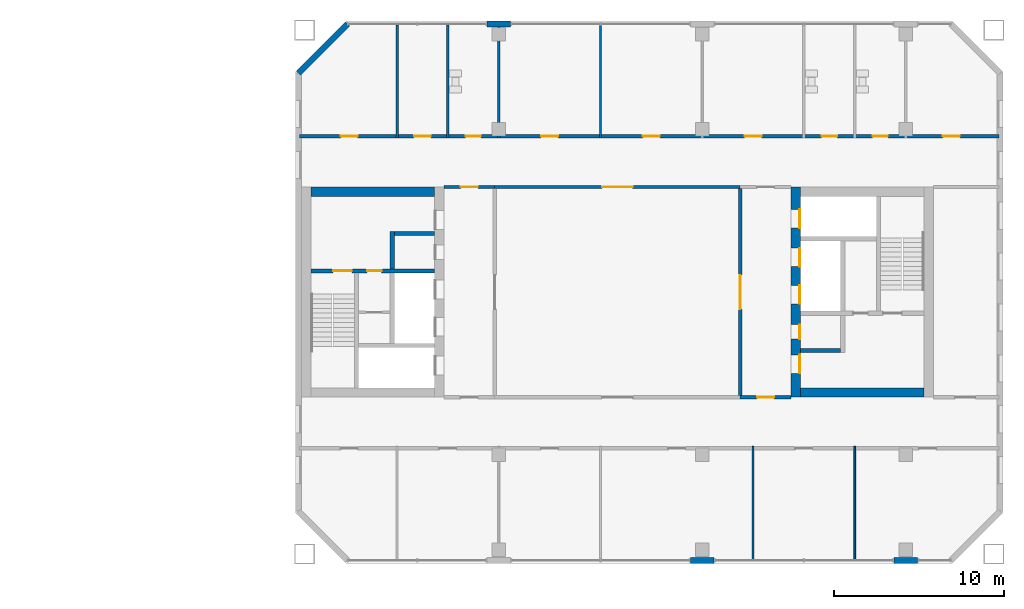
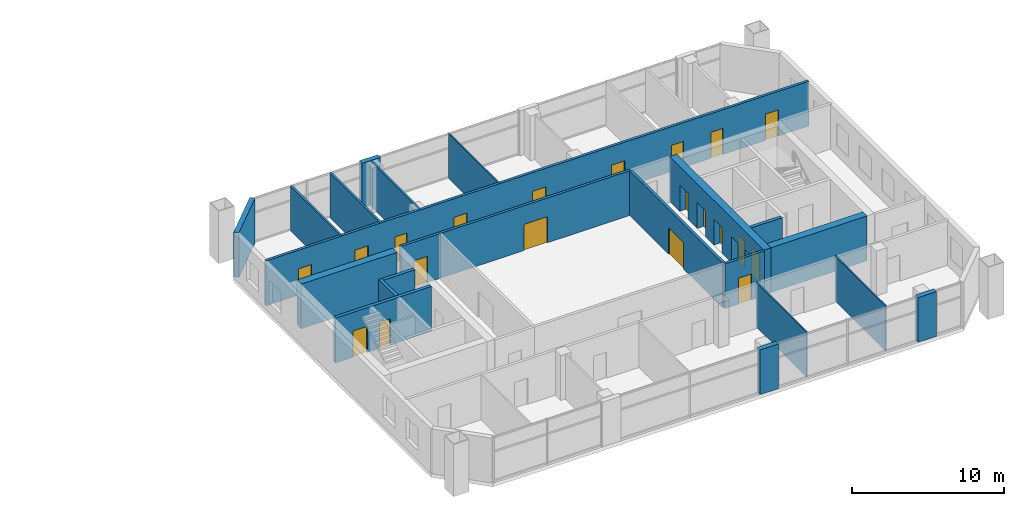
# One storey, part 13 of 17: 22 walls, 20 doors, 20 openings.
"""IFC4 building model written with IfcOpenShell, lengths in metres."""

from ifc_helpers import new_model, si_unit, direction, frame, frame_2d, origin, place, context, subcontext, project, spatial, rectangle, extrude, material, layer, layer_set, type_object, element, fill, save


model = new_model("IFC4")

# Units and contexts
model_context = context("Model", 3, precision=1e-05, world=origin(), true_north=direction((0.0, 1.0)))
body_context = subcontext(model_context, "Body", "Model", "MODEL_VIEW")
ifc_project = project(units=[si_unit("LENGTHUNIT", "METRE"), si_unit("AREAUNIT", "SQUARE_METRE"), si_unit("VOLUMEUNIT", "CUBIC_METRE"), si_unit("PLANEANGLEUNIT", "RADIAN"), si_unit("MASSUNIT", "GRAM", prefix="KILO")], contexts=[model_context])

# Site, building, storey
site_placement = place(None, origin())
site = spatial("IfcSite", under=ifc_project, at=site_placement, CompositionType="ELEMENT")
building_placement = place(site_placement, origin())
building = spatial("IfcBuilding", under=site, at=building_placement, Name="Tuart Gate Housing", CompositionType="ELEMENT")
storey_placement = place(building_placement, frame((0.0, 0.0, 119.5)))
storey = spatial("IfcBuildingStorey", under=building, at=storey_placement, Name="L33", CompositionType="ELEMENT", Elevation=119.5)

# Walls
ifc_material_1 = material(Name="Gypsum board on steel studs", Category="steel")
ifc_layer_1 = layer(ifc_material_1, 0.14990234375)
ifc_layer_set_1 = layer_set([ifc_layer_1], Name="Bathroom wall 150")
wall_type_1 = type_object("IfcWallType", Name="Bathroom wall 150", PredefinedType="PLUMBINGWALL", material=ifc_layer_set_1)
for number, where, z_axis, x_axis, name in (
    (1, (137.0, 79.10009765625, 0.0), (0.0, 0.0, 1.0), (0.0, 1.0, 0.0), "Bathroom wall 150"),
    (2, (140.0, 79.10009765625, 0.0), (0.0, 0.0, 1.0), (0.0, 1.0, 0.0), "Bathroom wall 150"),
    (3, (143.0, 79.10009765625, 0.0), (0.0, 0.0, 1.0), (0.0, 1.0, 0.0), "Bathroom wall 150"),
):
    element("IfcWall", number, at=place(storey_placement, frame(where, z_axis=z_axis, x_axis=x_axis)), inside=storey, type_object=wall_type_1, Name=name, PredefinedType="PLUMBINGWALL", context=body_context, shape_type="SweptSolid", body=[
        extrude(rectangle(XDim=6.659912109375, YDim=0.14990234375, at=frame_2d((3.330078125, 0.0))), origin(), (0.0, 0.0, 1.0), 3.60009765625),
    ])
ifc_material_2 = material(Name="Brick", Category="masonry")
ifc_layer_2 = layer(ifc_material_2, 0.360107421875)
ifc_layer_set_2 = layer_set([ifc_layer_2], Name="Brick pier and spandrel wall 360")
wall_type_2 = type_object("IfcWallType", Name="Brick pier and spandrel wall 360", PredefinedType="STANDARD", material=ifc_layer_set_2)
for number, where, z_axis, x_axis, name in (
    (4, (154.300048828125, 54.179931640625, 0.0), (0.0, 0.0, 1.0), (1.0, 0.0, 0.0), "External wall B-S L33"),
    (5, (166.300048828125, 54.179931640625, 0.0), (0.0, 0.0, 1.0), (1.0, 0.0, 0.0), "External wall B-S L33"),
    (6, (143.699951171875, 85.820068359375, 0.0), (0.0, 0.0, 1.0), (-1.0, 0.0, 0.0), "External wall B-N L33"),
):
    element("IfcWall", number, at=place(storey_placement, frame(where, z_axis=z_axis, x_axis=x_axis)), inside=storey, type_object=wall_type_2, Name=name, PredefinedType="STANDARD", context=body_context, shape_type="SweptSolid", body=[
        extrude(rectangle(XDim=1.39990234375, YDim=0.360107421875, at=frame_2d((0.699951171875, 0.0))), origin(), (0.0, 0.0, 1.0), 3.60009765625),
    ])
wall_1_placement = place(storey_placement, frame((134.07470703125, 85.820068359375, 0.0), z_axis=(0.0, 0.0, 1.0), x_axis=(-0.707106781187, -0.707106781187, 0.0)))
element("IfcWall", 7, at=wall_1_placement, inside=storey, type_object=wall_type_2, Name="External wall B-NW L33", PredefinedType="STANDARD", context=body_context, shape_type="SweptSolid", body=[
    extrude(rectangle(XDim=4.09375, YDim=0.360107421875, at=frame_2d((2.046875, 0.0))), origin(), (0.0, 0.0, 1.0), 3.60009765625),
])

# Wall, openings, doors
ifc_material_3 = material(Name="Concrete C50", Category="concrete")
ifc_layer_3 = layer(ifc_material_3, 0.25)
ifc_layer_set_3 = layer_set([ifc_layer_3], Name="Core wall 250 C50")
wall_type_3 = type_object("IfcWallType", Name="Core wall 250 C50", PredefinedType="SHEAR", material=ifc_layer_set_3)
wall_2_placement = place(storey_placement, frame((139.2099609375, 71.25, 0.0), z_axis=(0.0, 0.0, 1.0), x_axis=(-1.0, 0.0, 0.0)))
wall_2 = element("IfcWall", 8, at=wall_2_placement, inside=storey, type_object=wall_type_3, Name="Core wall BG.3", PredefinedType="SHEAR", context=body_context, shape_type="SweptSolid", body=[
    extrude(rectangle(XDim=7.300048828125, YDim=0.25, at=frame_2d((3.64990234375, 0.0))), origin(), (0.0, 0.0, 1.0), 3.60009765625),
])
opening_1_placement = place(wall_2_placement, frame((4.875, 0.0, 0.0)))
opening_1 = element("IfcOpeningElement", 9, at=opening_1_placement, cuts=wall_2, Name="Opening D187", PredefinedType="OPENING", context=body_context, shape_type="SweptSolid", body=[
    extrude(rectangle(XDim=1.10009765625, YDim=2.10009765625, at=frame_2d((0.550048828125, 1.050048828125))), frame((0.0, 0.135009765625, 0.0), z_axis=(0.0, -1.0, 0.0), x_axis=(1.0, 0.0, 0.0)), (0.0, 0.0, 1.0), 0.27001953125),
])
opening_2_placement = place(wall_2_placement, frame((3.125, 0.0, 0.0)))
opening_2 = element("IfcOpeningElement", 10, at=opening_2_placement, cuts=wall_2, Name="Opening D186", PredefinedType="OPENING", context=body_context, shape_type="SweptSolid", body=[
    extrude(rectangle(XDim=0.85009765625, YDim=2.10009765625, at=frame_2d((0.425048828125, 1.050048828125))), frame((0.0, 0.135009765625, 0.0), z_axis=(0.0, -1.0, 0.0), x_axis=(1.0, 0.0, 0.0)), (0.0, 0.0, 1.0), 0.27001953125),
])
ifc_material_4 = material(Name="Steel fire door", Category="steel")
door_type_1 = type_object("IfcDoorType", Name="Riser door 850 x 2100", OperationType="SINGLE_SWING_LEFT", PredefinedType="DOOR", material=ifc_material_4)
door_1_placement = place(opening_2_placement, origin())
door_1 = element("IfcDoor", 11, at=door_1_placement, inside=storey, type_object=door_type_1, Name="Service room door BG.W1", OperationType="SINGLE_SWING_LEFT", OverallHeight=2.10009765625, OverallWidth=0.85009765625, PredefinedType="DOOR", context=body_context, shape_type="SweptSolid", body=[
    extrude(rectangle(XDim=0.85009765625, YDim=2.10009765625, at=frame_2d((0.425048828125, 1.050048828125))), frame((0.0, 0.02490234375, 0.0), z_axis=(0.0, -1.0, 0.0), x_axis=(1.0, 0.0, 0.0)), (0.0, 0.0, 1.0), 0.050048828125),
])
fill(opening_2, door_1)
ifc_material_5 = material(Name="Steel fire door", Category="steel")
door_type_2 = type_object("IfcDoorType", Name="Stair door 1100 x 2100", OperationType="SINGLE_SWING_LEFT", PredefinedType="DOOR", material=ifc_material_5)
door_2_placement = place(opening_1_placement, origin())
door_2 = element("IfcDoor", 12, at=door_2_placement, inside=storey, type_object=door_type_2, Name="Stair door BG.SD", OperationType="SINGLE_SWING_LEFT", OverallHeight=2.10009765625, OverallWidth=1.10009765625, PredefinedType="DOOR", context=body_context, shape_type="SweptSolid", body=[
    extrude(rectangle(XDim=1.10009765625, YDim=2.10009765625, at=frame_2d((0.550048828125, 1.050048828125))), frame((0.0, 0.02490234375, 0.0), z_axis=(0.0, -1.0, 0.0), x_axis=(1.0, 0.0, 0.0)), (0.0, 0.0, 1.0), 0.050048828125),
])
fill(opening_1, door_2)

# Walls
wall_3_placement = place(storey_placement, frame((139.2099609375, 73.449951171875, 0.0), z_axis=(0.0, 0.0, 1.0), x_axis=(-1.0, 0.0, 0.0)))
element("IfcWall", 13, at=wall_3_placement, inside=storey, type_object=wall_type_3, Name="Core wall BG.4", PredefinedType="SHEAR", context=body_context, shape_type="SweptSolid", body=[
    extrude(rectangle(XDim=2.375, YDim=0.25, at=frame_2d((1.1875, 0.0))), origin(), (0.0, 0.0, 1.0), 3.60009765625),
])
wall_4_placement = place(storey_placement, frame((136.7099609375, 71.375, 0.0), z_axis=(0.0, 0.0, 1.0), x_axis=(0.0, 1.0, 0.0)))
element("IfcWall", 14, at=wall_4_placement, inside=storey, type_object=wall_type_3, Name="Core wall BG.6", PredefinedType="SHEAR", context=body_context, shape_type="SweptSolid", body=[
    extrude(rectangle(XDim=2.199951171875, YDim=0.25, at=frame_2d((1.10009765625, 0.0))), origin(), (0.0, 0.0, 1.0), 3.60009765625),
])
wall_5_placement = place(storey_placement, frame((160.7900390625, 66.550048828125, 0.0), z_axis=(0.0, 0.0, 1.0), x_axis=(1.0, 0.0, 0.0)))
element("IfcWall", 15, at=wall_5_placement, inside=storey, type_object=wall_type_3, Name="Core wall BK.3", PredefinedType="SHEAR", context=body_context, shape_type="SweptSolid", body=[
    extrude(rectangle(XDim=2.375, YDim=0.25, at=frame_2d((1.1875, 0.0))), origin(), (0.0, 0.0, 1.0), 3.60009765625),
])
ifc_material_6 = material(Name="Concrete C50", Category="concrete")
ifc_layer_4 = layer(ifc_material_6, 0.550048828125)
ifc_layer_set_4 = layer_set([ifc_layer_4], Name="Core wall 550 C50")
wall_type_4 = type_object("IfcWallType", Name="Core wall 550 C50", PredefinedType="SHEAR", material=ifc_layer_set_4)
wall_6_placement = place(storey_placement, frame((139.2099609375, 75.925048828125, 0.0), z_axis=(0.0, 0.0, 1.0), x_axis=(-1.0, 0.0, 0.0)))
element("IfcWall", 16, at=wall_6_placement, inside=storey, type_object=wall_type_4, Name="Core wall BG north", PredefinedType="SHEAR", context=body_context, shape_type="SweptSolid", body=[
    extrude(rectangle(XDim=7.300048828125, YDim=0.550048828125, at=frame_2d((3.64990234375, 0.0))), origin(), (0.0, 0.0, 1.0), 3.60009765625),
])

# Wall, openings, doors
wall_7_placement = place(storey_placement, frame((160.514892578125, 76.199951171875, 0.0), z_axis=(0.0, 0.0, 1.0), x_axis=(0.0, -1.0, 0.0)))
wall_7 = element("IfcWall", 17, at=wall_7_placement, inside=storey, type_object=wall_type_4, Name="Core wall BK front", PredefinedType="SHEAR", context=body_context, shape_type="SweptSolid", body=[
    extrude(rectangle(XDim=12.39990234375, YDim=0.550048828125, at=frame_2d((6.199951171875, 0.0))), origin(), (0.0, 0.0, 1.0), 3.60009765625),
])
opening_3_placement = place(wall_7_placement, frame((1.324951171875, 0.0, 0.0)))
opening_3 = element("IfcOpeningElement", 18, at=opening_3_placement, cuts=wall_7, Name="Opening LD-FB2", PredefinedType="OPENING", context=body_context, shape_type="SweptSolid", body=[
    extrude(rectangle(XDim=1.10009765625, YDim=2.10009765625, at=frame_2d((0.550048828125, 1.050048828125))), frame((0.0, 0.284912109375, 0.0), z_axis=(0.0, -1.0, 0.0), x_axis=(1.0, 0.0, 0.0)), (0.0, 0.0, 1.0), 0.570068359375),
])
opening_4_placement = place(wall_7_placement, frame((3.60009765625, 0.0, 0.0)))
opening_4 = element("IfcOpeningElement", 19, at=opening_4_placement, cuts=wall_7, Name="Opening LD-LB3", PredefinedType="OPENING", context=body_context, shape_type="SweptSolid", body=[
    extrude(rectangle(XDim=1.10009765625, YDim=2.10009765625, at=frame_2d((0.550048828125, 1.050048828125))), frame((0.0, 0.284912109375, 0.0), z_axis=(0.0, -1.0, 0.0), x_axis=(1.0, 0.0, 0.0)), (0.0, 0.0, 1.0), 0.570068359375),
])
opening_5_placement = place(wall_7_placement, frame((5.800048828125, 0.0, 0.0)))
opening_5 = element("IfcOpeningElement", 20, at=opening_5_placement, cuts=wall_7, Name="Opening LD-LB4", PredefinedType="OPENING", context=body_context, shape_type="SweptSolid", body=[
    extrude(rectangle(XDim=1.10009765625, YDim=2.10009765625, at=frame_2d((0.550048828125, 1.050048828125))), frame((0.0, 0.284912109375, 0.0), z_axis=(0.0, -1.0, 0.0), x_axis=(1.0, 0.0, 0.0)), (0.0, 0.0, 1.0), 0.570068359375),
])
opening_6_placement = place(wall_7_placement, frame((9.89990234375, 0.0, 0.0)))
opening_6 = element("IfcOpeningElement", 21, at=opening_6_placement, cuts=wall_7, Name="Opening D192", PredefinedType="OPENING", context=body_context, shape_type="SweptSolid", body=[
    extrude(rectangle(XDim=1.10009765625, YDim=2.10009765625, at=frame_2d((0.550048828125, 1.050048828125))), frame((0.0, 0.284912109375, 0.0), z_axis=(0.0, -1.0, 0.0), x_axis=(1.0, 0.0, 0.0)), (0.0, 0.0, 1.0), 0.570068359375),
])
opening_7_placement = place(wall_7_placement, frame((8.125, 0.0, 0.0)))
opening_7 = element("IfcOpeningElement", 22, at=opening_7_placement, cuts=wall_7, Name="Opening D193", PredefinedType="OPENING", context=body_context, shape_type="SweptSolid", body=[
    extrude(rectangle(XDim=0.85009765625, YDim=2.10009765625, at=frame_2d((0.425048828125, 1.050048828125))), frame((0.0, 0.284912109375, 0.0), z_axis=(0.0, -1.0, 0.0), x_axis=(1.0, 0.0, 0.0)), (0.0, 0.0, 1.0), 0.570068359375),
])
ifc_material_7 = material(Name="Stainless steel", Category="steel")
door_type_3 = type_object("IfcDoorType", Name="Landing door 1100 x 2100", OperationType="DOUBLE_DOOR_SLIDING", PredefinedType="DOOR", material=ifc_material_7)
door_3_placement = place(opening_3_placement, origin())
door_3 = element("IfcDoor", 23, at=door_3_placement, inside=storey, type_object=door_type_3, Name="Lift landing door FB2", OperationType="DOUBLE_DOOR_SLIDING", OverallHeight=2.10009765625, OverallWidth=1.10009765625, PredefinedType="DOOR", context=body_context, shape_type="SweptSolid", body=[
    extrude(rectangle(XDim=1.10009765625, YDim=2.10009765625, at=frame_2d((0.550048828125, 1.050048828125))), frame((0.0, 0.26025390625, 0.0), z_axis=(0.0, -1.0, 0.0), x_axis=(1.0, 0.0, 0.0)), (0.0, 0.0, 1.0), 0.050048828125),
])
fill(opening_3, door_3)
door_4_placement = place(opening_4_placement, origin())
door_4 = element("IfcDoor", 24, at=door_4_placement, inside=storey, type_object=door_type_3, Name="Lift landing door LB3", OperationType="DOUBLE_DOOR_SLIDING", OverallHeight=2.10009765625, OverallWidth=1.10009765625, PredefinedType="DOOR", context=body_context, shape_type="SweptSolid", body=[
    extrude(rectangle(XDim=1.10009765625, YDim=2.10009765625, at=frame_2d((0.550048828125, 1.050048828125))), frame((0.0, 0.26025390625, 0.0), z_axis=(0.0, -1.0, 0.0), x_axis=(1.0, 0.0, 0.0)), (0.0, 0.0, 1.0), 0.050048828125),
])
fill(opening_4, door_4)
door_5_placement = place(opening_5_placement, origin())
door_5 = element("IfcDoor", 25, at=door_5_placement, inside=storey, type_object=door_type_3, Name="Lift landing door LB4", OperationType="DOUBLE_DOOR_SLIDING", OverallHeight=2.10009765625, OverallWidth=1.10009765625, PredefinedType="DOOR", context=body_context, shape_type="SweptSolid", body=[
    extrude(rectangle(XDim=1.10009765625, YDim=2.10009765625, at=frame_2d((0.550048828125, 1.050048828125))), frame((0.0, 0.26025390625, 0.0), z_axis=(0.0, -1.0, 0.0), x_axis=(1.0, 0.0, 0.0)), (0.0, 0.0, 1.0), 0.050048828125),
])
fill(opening_5, door_5)
ifc_material_8 = material(Name="Steel fire door", Category="steel")
door_type_4 = type_object("IfcDoorType", Name="Lobby door 1100 x 2100", OperationType="SINGLE_SWING_LEFT", PredefinedType="DOOR", material=ifc_material_8)
door_6_placement = place(opening_6_placement, origin())
door_6 = element("IfcDoor", 26, at=door_6_placement, inside=storey, type_object=door_type_4, Name="Lobby entry door BK.EN", OperationType="SINGLE_SWING_LEFT", OverallHeight=2.10009765625, OverallWidth=1.10009765625, PredefinedType="DOOR", context=body_context, shape_type="SweptSolid", body=[
    extrude(rectangle(XDim=1.10009765625, YDim=2.10009765625, at=frame_2d((0.550048828125, 1.050048828125))), frame((0.0, 0.26025390625, 0.0), z_axis=(0.0, -1.0, 0.0), x_axis=(1.0, 0.0, 0.0)), (0.0, 0.0, 1.0), 0.050048828125),
])
fill(opening_6, door_6)
ifc_material_9 = material(Name="Steel fire door", Category="steel")
door_type_5 = type_object("IfcDoorType", Name="Service door 850 x 2100", OperationType="SINGLE_SWING_LEFT", PredefinedType="DOOR", material=ifc_material_9)
door_7_placement = place(opening_7_placement, origin())
door_7 = element("IfcDoor", 27, at=door_7_placement, inside=storey, type_object=door_type_5, Name="Service room door BK.T1", OperationType="SINGLE_SWING_LEFT", OverallHeight=2.10009765625, OverallWidth=0.85009765625, PredefinedType="DOOR", context=body_context, shape_type="SweptSolid", body=[
    extrude(rectangle(XDim=0.85009765625, YDim=2.10009765625, at=frame_2d((0.425048828125, 1.050048828125))), frame((0.0, 0.26025390625, 0.0), z_axis=(0.0, -1.0, 0.0), x_axis=(1.0, 0.0, 0.0)), (0.0, 0.0, 1.0), 0.050048828125),
])
fill(opening_7, door_7)

# Wall
wall_8_placement = place(storey_placement, frame((160.7900390625, 64.074951171875, 0.0), z_axis=(0.0, 0.0, 1.0), x_axis=(1.0, 0.0, 0.0)))
element("IfcWall", 28, at=wall_8_placement, inside=storey, type_object=wall_type_4, Name="Core wall BK north", PredefinedType="SHEAR", context=body_context, shape_type="SweptSolid", body=[
    extrude(rectangle(XDim=7.300048828125, YDim=0.550048828125, at=frame_2d((3.64990234375, 0.0))), origin(), (0.0, 0.0, 1.0), 3.60009765625),
])

# Wall, opening, door
ifc_material_10 = material(Name="Concrete masonry 15 MPa", Category="masonry")
ifc_layer_5 = layer(ifc_material_10, 0.199951171875)
ifc_layer_set_5 = layer_set([ifc_layer_5], Name="Corridor wall masonry 200")
wall_type_5 = type_object("IfcWallType", Name="Corridor wall masonry 200", PredefinedType="PARTITIONING", material=ifc_layer_set_5)
wall_9_placement = place(storey_placement, frame((142.760009765625, 76.199951171875, 0.0), z_axis=(0.0, 0.0, 1.0), x_axis=(1.0, 0.0, 0.0)))
wall_9 = element("IfcWall", 29, at=wall_9_placement, inside=storey, type_object=wall_type_5, Name="Corridor wall masonry 200", PredefinedType="PARTITIONING", context=body_context, shape_type="SweptSolid", body=[
    extrude(rectangle(XDim=14.47998046875, YDim=0.199951171875, at=frame_2d((7.239990234375, 0.0))), origin(), (0.0, 0.0, 1.0), 3.60009765625),
])
opening_8_placement = place(wall_9_placement, frame((6.340087890625, 0.0, 0.0)))
opening_8 = element("IfcOpeningElement", 30, at=opening_8_placement, cuts=wall_9, Name="Opening D184", PredefinedType="OPENING", context=body_context, shape_type="SweptSolid", body=[
    extrude(rectangle(XDim=1.800048828125, YDim=2.10009765625, at=frame_2d((0.89990234375, 1.050048828125))), frame((0.0, 0.10986328125, 0.0), z_axis=(0.0, -1.0, 0.0), x_axis=(1.0, 0.0, 0.0)), (0.0, 0.0, 1.0), 0.219970703125),
])
ifc_material_11 = material(Name="Timber door leaf in steel frame", Category="steel")
door_type_6 = type_object("IfcDoorType", Name="Double door 1800", OperationType="DOUBLE_DOOR_SINGLE_SWING", PredefinedType="DOOR", material=ifc_material_11)
door_8_placement = place(opening_8_placement, origin())
door_8 = element("IfcDoor", 31, at=door_8_placement, inside=storey, type_object=door_type_6, Name="Double door 1800", OperationType="DOUBLE_DOOR_SINGLE_SWING", OverallHeight=2.10009765625, OverallWidth=1.800048828125, PredefinedType="DOOR", context=body_context, shape_type="SweptSolid", body=[
    extrude(rectangle(XDim=1.800048828125, YDim=2.10009765625, at=frame_2d((0.89990234375, 1.050048828125))), frame((0.0, 0.02490234375, 0.0), z_axis=(0.0, -1.0, 0.0), x_axis=(1.0, 0.0, 0.0)), (0.0, 0.0, 1.0), 0.050048828125),
])
fill(opening_8, door_8)

# Wall, openings, doors
wall_10_placement = place(storey_placement, frame((131.239990234375, 79.199951171875, 0.0), z_axis=(0.0, 0.0, 1.0), x_axis=(1.0, 0.0, 0.0)))
wall_10 = element("IfcWall", 32, at=wall_10_placement, inside=storey, type_object=wall_type_5, Name="Corridor wall masonry 200", PredefinedType="PARTITIONING", context=body_context, shape_type="SweptSolid", body=[
    extrude(rectangle(XDim=41.27001953125, YDim=0.199951171875, at=frame_2d((20.635009765625, 0.0))), origin(), (0.0, 0.0, 1.0), 3.60009765625),
])
opening_9_placement = place(wall_10_placement, frame((2.43994140625, 0.0, 0.0)))
opening_9 = element("IfcOpeningElement", 33, at=opening_9_placement, cuts=wall_10, Name="Opening D174", PredefinedType="OPENING", context=body_context, shape_type="SweptSolid", body=[
    extrude(rectangle(XDim=1.0, YDim=2.10009765625, at=frame_2d((0.5, 1.050048828125))), frame((0.0, 0.10986328125, 0.0), z_axis=(0.0, -1.0, 0.0), x_axis=(1.0, 0.0, 0.0)), (0.0, 0.0, 1.0), 0.219970703125),
])
opening_10_placement = place(wall_10_placement, frame((6.760009765625, 0.0, 0.0)))
opening_10 = element("IfcOpeningElement", 34, at=opening_10_placement, cuts=wall_10, Name="Opening D175", PredefinedType="OPENING", context=body_context, shape_type="SweptSolid", body=[
    extrude(rectangle(XDim=1.0, YDim=2.10009765625, at=frame_2d((0.5, 1.050048828125))), frame((0.0, 0.10986328125, 0.0), z_axis=(0.0, -1.0, 0.0), x_axis=(1.0, 0.0, 0.0)), (0.0, 0.0, 1.0), 0.219970703125),
])
opening_11_placement = place(wall_10_placement, frame((9.81005859375, 0.0, 0.0)))
opening_11 = element("IfcOpeningElement", 35, at=opening_11_placement, cuts=wall_10, Name="Opening D180", PredefinedType="OPENING", context=body_context, shape_type="SweptSolid", body=[
    extrude(rectangle(XDim=0.89990234375, YDim=2.10009765625, at=frame_2d((0.449951171875, 1.050048828125))), frame((0.0, 0.10986328125, 0.0), z_axis=(0.0, -1.0, 0.0), x_axis=(1.0, 0.0, 0.0)), (0.0, 0.0, 1.0), 0.219970703125),
])
opening_12_placement = place(wall_10_placement, frame((14.260009765625, 0.0, 0.0)))
opening_12 = element("IfcOpeningElement", 36, at=opening_12_placement, cuts=wall_10, Name="Opening D176", PredefinedType="OPENING", context=body_context, shape_type="SweptSolid", body=[
    extrude(rectangle(XDim=1.0, YDim=2.10009765625, at=frame_2d((0.5, 1.050048828125))), frame((0.0, 0.10986328125, 0.0), z_axis=(0.0, -1.0, 0.0), x_axis=(1.0, 0.0, 0.0)), (0.0, 0.0, 1.0), 0.219970703125),
])
opening_13_placement = place(wall_10_placement, frame((20.260009765625, 0.0, 0.0)))
opening_13 = element("IfcOpeningElement", 37, at=opening_13_placement, cuts=wall_10, Name="Opening D177", PredefinedType="OPENING", context=body_context, shape_type="SweptSolid", body=[
    extrude(rectangle(XDim=1.0, YDim=2.10009765625, at=frame_2d((0.5, 1.050048828125))), frame((0.0, 0.10986328125, 0.0), z_axis=(0.0, -1.0, 0.0), x_axis=(1.0, 0.0, 0.0)), (0.0, 0.0, 1.0), 0.219970703125),
])
opening_14_placement = place(wall_10_placement, frame((26.260009765625, 0.0, 0.0)))
opening_14 = element("IfcOpeningElement", 38, at=opening_14_placement, cuts=wall_10, Name="Opening D178", PredefinedType="OPENING", context=body_context, shape_type="SweptSolid", body=[
    extrude(rectangle(XDim=1.0, YDim=2.10009765625, at=frame_2d((0.5, 1.050048828125))), frame((0.0, 0.10986328125, 0.0), z_axis=(0.0, -1.0, 0.0), x_axis=(1.0, 0.0, 0.0)), (0.0, 0.0, 1.0), 0.219970703125),
])
opening_15_placement = place(wall_10_placement, frame((30.81005859375, 0.0, 0.0)))
opening_15 = element("IfcOpeningElement", 39, at=opening_15_placement, cuts=wall_10, Name="Opening D181", PredefinedType="OPENING", context=body_context, shape_type="SweptSolid", body=[
    extrude(rectangle(XDim=0.89990234375, YDim=2.10009765625, at=frame_2d((0.449951171875, 1.050048828125))), frame((0.0, 0.10986328125, 0.0), z_axis=(0.0, -1.0, 0.0), x_axis=(1.0, 0.0, 0.0)), (0.0, 0.0, 1.0), 0.219970703125),
])
opening_16_placement = place(wall_10_placement, frame((33.81005859375, 0.0, 0.0)))
opening_16 = element("IfcOpeningElement", 40, at=opening_16_placement, cuts=wall_10, Name="Opening D182", PredefinedType="OPENING", context=body_context, shape_type="SweptSolid", body=[
    extrude(rectangle(XDim=0.89990234375, YDim=2.10009765625, at=frame_2d((0.449951171875, 1.050048828125))), frame((0.0, 0.10986328125, 0.0), z_axis=(0.0, -1.0, 0.0), x_axis=(1.0, 0.0, 0.0)), (0.0, 0.0, 1.0), 0.219970703125),
])
opening_17_placement = place(wall_10_placement, frame((37.955078125, 0.0, 0.0)))
opening_17 = element("IfcOpeningElement", 41, at=opening_17_placement, cuts=wall_10, Name="Opening D179", PredefinedType="OPENING", context=body_context, shape_type="SweptSolid", body=[
    extrude(rectangle(XDim=1.0, YDim=2.10009765625, at=frame_2d((0.5, 1.050048828125))), frame((0.0, 0.10986328125, 0.0), z_axis=(0.0, -1.0, 0.0), x_axis=(1.0, 0.0, 0.0)), (0.0, 0.0, 1.0), 0.219970703125),
])
ifc_material_12 = material(Name="Timber door leaf in steel frame", Category="steel")
door_type_7 = type_object("IfcDoorType", Name="Fire door 1000", OperationType="SINGLE_SWING_LEFT", PredefinedType="DOOR", material=ifc_material_12)
door_9_placement = place(opening_9_placement, origin())
door_9 = element("IfcDoor", 42, at=door_9_placement, inside=storey, type_object=door_type_7, Name="Fire door 1000", OperationType="SINGLE_SWING_LEFT", OverallHeight=2.10009765625, OverallWidth=1.0, PredefinedType="DOOR", context=body_context, shape_type="SweptSolid", body=[
    extrude(rectangle(XDim=1.0, YDim=2.10009765625, at=frame_2d((0.5, 1.050048828125))), frame((0.0, 0.02490234375, 0.0), z_axis=(0.0, -1.0, 0.0), x_axis=(1.0, 0.0, 0.0)), (0.0, 0.0, 1.0), 0.050048828125),
])
fill(opening_9, door_9)
door_10_placement = place(opening_10_placement, origin())
door_10 = element("IfcDoor", 43, at=door_10_placement, inside=storey, type_object=door_type_7, Name="Fire door 1000", OperationType="SINGLE_SWING_LEFT", OverallHeight=2.10009765625, OverallWidth=1.0, PredefinedType="DOOR", context=body_context, shape_type="SweptSolid", body=[
    extrude(rectangle(XDim=1.0, YDim=2.10009765625, at=frame_2d((0.5, 1.050048828125))), frame((0.0, 0.02490234375, 0.0), z_axis=(0.0, -1.0, 0.0), x_axis=(1.0, 0.0, 0.0)), (0.0, 0.0, 1.0), 0.050048828125),
])
fill(opening_10, door_10)
door_11_placement = place(opening_12_placement, origin())
door_11 = element("IfcDoor", 44, at=door_11_placement, inside=storey, type_object=door_type_7, Name="Fire door 1000", OperationType="SINGLE_SWING_LEFT", OverallHeight=2.10009765625, OverallWidth=1.0, PredefinedType="DOOR", context=body_context, shape_type="SweptSolid", body=[
    extrude(rectangle(XDim=1.0, YDim=2.10009765625, at=frame_2d((0.5, 1.050048828125))), frame((0.0, 0.02490234375, 0.0), z_axis=(0.0, -1.0, 0.0), x_axis=(1.0, 0.0, 0.0)), (0.0, 0.0, 1.0), 0.050048828125),
])
fill(opening_12, door_11)
door_12_placement = place(opening_13_placement, origin())
door_12 = element("IfcDoor", 45, at=door_12_placement, inside=storey, type_object=door_type_7, Name="Fire door 1000", OperationType="SINGLE_SWING_LEFT", OverallHeight=2.10009765625, OverallWidth=1.0, PredefinedType="DOOR", context=body_context, shape_type="SweptSolid", body=[
    extrude(rectangle(XDim=1.0, YDim=2.10009765625, at=frame_2d((0.5, 1.050048828125))), frame((0.0, 0.02490234375, 0.0), z_axis=(0.0, -1.0, 0.0), x_axis=(1.0, 0.0, 0.0)), (0.0, 0.0, 1.0), 0.050048828125),
])
fill(opening_13, door_12)
door_13_placement = place(opening_14_placement, origin())
door_13 = element("IfcDoor", 46, at=door_13_placement, inside=storey, type_object=door_type_7, Name="Fire door 1000", OperationType="SINGLE_SWING_LEFT", OverallHeight=2.10009765625, OverallWidth=1.0, PredefinedType="DOOR", context=body_context, shape_type="SweptSolid", body=[
    extrude(rectangle(XDim=1.0, YDim=2.10009765625, at=frame_2d((0.5, 1.050048828125))), frame((0.0, 0.02490234375, 0.0), z_axis=(0.0, -1.0, 0.0), x_axis=(1.0, 0.0, 0.0)), (0.0, 0.0, 1.0), 0.050048828125),
])
fill(opening_14, door_13)
door_14_placement = place(opening_17_placement, origin())
door_14 = element("IfcDoor", 47, at=door_14_placement, inside=storey, type_object=door_type_7, Name="Fire door 1000", OperationType="SINGLE_SWING_LEFT", OverallHeight=2.10009765625, OverallWidth=1.0, PredefinedType="DOOR", context=body_context, shape_type="SweptSolid", body=[
    extrude(rectangle(XDim=1.0, YDim=2.10009765625, at=frame_2d((0.5, 1.050048828125))), frame((0.0, 0.02490234375, 0.0), z_axis=(0.0, -1.0, 0.0), x_axis=(1.0, 0.0, 0.0)), (0.0, 0.0, 1.0), 0.050048828125),
])
fill(opening_17, door_14)
ifc_material_13 = material(Name="Timber door leaf in steel frame", Category="steel")
door_type_8 = type_object("IfcDoorType", Name="Fire door 900", OperationType="SINGLE_SWING_LEFT", PredefinedType="DOOR", material=ifc_material_13)
door_15_placement = place(opening_11_placement, origin())
door_15 = element("IfcDoor", 48, at=door_15_placement, inside=storey, type_object=door_type_8, Name="Fire door 900", OperationType="SINGLE_SWING_LEFT", OverallHeight=2.10009765625, OverallWidth=0.89990234375, PredefinedType="DOOR", context=body_context, shape_type="SweptSolid", body=[
    extrude(rectangle(XDim=0.89990234375, YDim=2.10009765625, at=frame_2d((0.449951171875, 1.050048828125))), frame((0.0, 0.02490234375, 0.0), z_axis=(0.0, -1.0, 0.0), x_axis=(1.0, 0.0, 0.0)), (0.0, 0.0, 1.0), 0.050048828125),
])
fill(opening_11, door_15)
door_16_placement = place(opening_15_placement, origin())
door_16 = element("IfcDoor", 49, at=door_16_placement, inside=storey, type_object=door_type_8, Name="Fire door 900", OperationType="SINGLE_SWING_LEFT", OverallHeight=2.10009765625, OverallWidth=0.89990234375, PredefinedType="DOOR", context=body_context, shape_type="SweptSolid", body=[
    extrude(rectangle(XDim=0.89990234375, YDim=2.10009765625, at=frame_2d((0.449951171875, 1.050048828125))), frame((0.0, 0.02490234375, 0.0), z_axis=(0.0, -1.0, 0.0), x_axis=(1.0, 0.0, 0.0)), (0.0, 0.0, 1.0), 0.050048828125),
])
fill(opening_15, door_16)
door_17_placement = place(opening_16_placement, origin())
door_17 = element("IfcDoor", 50, at=door_17_placement, inside=storey, type_object=door_type_8, Name="Fire door 900", OperationType="SINGLE_SWING_LEFT", OverallHeight=2.10009765625, OverallWidth=0.89990234375, PredefinedType="DOOR", context=body_context, shape_type="SweptSolid", body=[
    extrude(rectangle(XDim=0.89990234375, YDim=2.10009765625, at=frame_2d((0.449951171875, 1.050048828125))), frame((0.0, 0.02490234375, 0.0), z_axis=(0.0, -1.0, 0.0), x_axis=(1.0, 0.0, 0.0)), (0.0, 0.0, 1.0), 0.050048828125),
])
fill(opening_16, door_17)

# Wall, opening, door
ifc_material_14 = material(Name="Concrete masonry 15 MPa", Category="masonry")
ifc_layer_6 = layer(ifc_material_14, 0.199951171875)
ifc_layer_set_6 = layer_set([ifc_layer_6], Name="Enclosure wall masonry 200")
wall_type_6 = type_object("IfcWallType", Name="Enclosure wall masonry 200", PredefinedType="PARTITIONING", material=ifc_layer_set_6)
wall_11_placement = place(storey_placement, frame((157.239990234375, 63.800048828125, 0.0), z_axis=(0.0, 0.0, 1.0), x_axis=(1.0, 0.0, 0.0)))
wall_11 = element("IfcWall", 51, at=wall_11_placement, inside=storey, type_object=wall_type_6, Name="Enclosure wall masonry 200", PredefinedType="PARTITIONING", context=body_context, shape_type="SweptSolid", body=[
    extrude(rectangle(XDim=3.0, YDim=0.199951171875, at=frame_2d((1.5, 0.0))), origin(), (0.0, 0.0, 1.0), 3.60009765625),
])
opening_18_placement = place(wall_11_placement, frame((1.0, 0.0, 0.0)))
opening_18 = element("IfcOpeningElement", 52, at=opening_18_placement, cuts=wall_11, Name="Opening D199", PredefinedType="OPENING", context=body_context, shape_type="SweptSolid", body=[
    extrude(rectangle(XDim=1.0, YDim=2.10009765625, at=frame_2d((0.5, 1.050048828125))), frame((0.0, 0.10986328125, 0.0), z_axis=(0.0, -1.0, 0.0), x_axis=(1.0, 0.0, 0.0)), (0.0, 0.0, 1.0), 0.219970703125),
])
ifc_material_15 = material(Name="Timber door leaf in steel frame", Category="steel")
door_type_9 = type_object("IfcDoorType", Name="Lobby door 1000", OperationType="SINGLE_SWING_LEFT", PredefinedType="DOOR", material=ifc_material_15)
door_18_placement = place(opening_18_placement, origin())
door_18 = element("IfcDoor", 53, at=door_18_placement, inside=storey, type_object=door_type_9, Name="Lobby door 1000", OperationType="SINGLE_SWING_LEFT", OverallHeight=2.10009765625, OverallWidth=1.0, PredefinedType="DOOR", context=body_context, shape_type="SweptSolid", body=[
    extrude(rectangle(XDim=1.0, YDim=2.10009765625, at=frame_2d((0.5, 1.050048828125))), frame((0.0, 0.02490234375, 0.0), z_axis=(0.0, -1.0, 0.0), x_axis=(1.0, 0.0, 0.0)), (0.0, 0.0, 1.0), 0.050048828125),
])
fill(opening_18, door_18)

wall_12_placement = place(storey_placement, frame((139.760009765625, 76.199951171875, 0.0), z_axis=(0.0, 0.0, 1.0), x_axis=(1.0, 0.0, 0.0)))
wall_12 = element("IfcWall", 54, at=wall_12_placement, inside=storey, type_object=wall_type_6, Name="Enclosure wall masonry 200", PredefinedType="PARTITIONING", context=body_context, shape_type="SweptSolid", body=[
    extrude(rectangle(XDim=3.0, YDim=0.199951171875, at=frame_2d((1.5, 0.0))), origin(), (0.0, 0.0, 1.0), 3.60009765625),
])
opening_19_placement = place(wall_12_placement, frame((1.0, 0.0, 0.0)))
opening_19 = element("IfcOpeningElement", 55, at=opening_19_placement, cuts=wall_12, Name="Opening D183", PredefinedType="OPENING", context=body_context, shape_type="SweptSolid", body=[
    extrude(rectangle(XDim=1.0, YDim=2.10009765625, at=frame_2d((0.5, 1.050048828125))), frame((0.0, 0.10986328125, 0.0), z_axis=(0.0, -1.0, 0.0), x_axis=(1.0, 0.0, 0.0)), (0.0, 0.0, 1.0), 0.219970703125),
])
door_19_placement = place(opening_19_placement, frame((1.0, 0.0, 0.0), z_axis=(0.0, 0.0, 1.0), x_axis=(-1.0, 0.0, 0.0)))
door_19 = element("IfcDoor", 56, at=door_19_placement, inside=storey, type_object=door_type_9, Name="Lobby door 1000", OperationType="SINGLE_SWING_LEFT", OverallHeight=2.10009765625, OverallWidth=1.0, PredefinedType="DOOR", context=body_context, shape_type="SweptSolid", body=[
    extrude(rectangle(XDim=1.0, YDim=2.10009765625, at=frame_2d((0.5, 1.050048828125))), frame((0.0, 0.025146484375, 0.0), z_axis=(0.0, -1.0, 0.0), x_axis=(1.0, 0.0, 0.0)), (0.0, 0.0, 1.0), 0.050048828125),
])
fill(opening_19, door_19)

ifc_material_16 = material(Name="Plasterboard partition")
ifc_layer_7 = layer(ifc_material_16, 0.199951171875)
ifc_layer_set_7 = layer_set([ifc_layer_7], Name="Lobby wall 200")
wall_type_7 = type_object("IfcWallType", Name="Lobby wall 200", PredefinedType="PARTITIONING", material=ifc_layer_set_7)
wall_13_placement = place(storey_placement, frame((157.239990234375, 63.89990234375, 0.0), z_axis=(0.0, 0.0, 1.0), x_axis=(0.0, 1.0, 0.0)))
wall_13 = element("IfcWall", 57, at=wall_13_placement, inside=storey, type_object=wall_type_7, Name="Lift lobby wall BK", PredefinedType="PARTITIONING", context=body_context, shape_type="SweptSolid", body=[
    extrude(rectangle(XDim=12.2001953125, YDim=0.199951171875, at=frame_2d((6.10009765625, 0.0))), origin(), (0.0, 0.0, 1.0), 3.60009765625),
])
opening_20_placement = place(wall_13_placement, frame((5.10009765625, 0.0, 0.0)))
opening_20 = element("IfcOpeningElement", 58, at=opening_20_placement, cuts=wall_13, Name="Opening D191", PredefinedType="OPENING", context=body_context, shape_type="SweptSolid", body=[
    extrude(rectangle(XDim=2.0, YDim=2.10009765625, at=frame_2d((1.0, 1.050048828125))), frame((0.0, 0.10986328125, 0.0), z_axis=(0.0, -1.0, 0.0), x_axis=(1.0, 0.0, 0.0)), (0.0, 0.0, 1.0), 0.219970703125),
])
ifc_material_17 = material(Name="Steel fire door", Category="steel")
door_type_10 = type_object("IfcDoorType", Name="Smoke door 2000 x 2100", OperationType="DOUBLE_DOOR_SINGLE_SWING", PredefinedType="DOOR", material=ifc_material_17)
door_20_placement = place(opening_20_placement, frame((2.0, 0.0, 0.0), z_axis=(0.0, 0.0, 1.0), x_axis=(-1.0, 0.0, 0.0)))
door_20 = element("IfcDoor", 59, at=door_20_placement, inside=storey, type_object=door_type_10, Name="Lift lobby smoke door BK", OperationType="DOUBLE_DOOR_SINGLE_SWING", OverallHeight=2.10009765625, OverallWidth=2.0, PredefinedType="DOOR", context=body_context, shape_type="SweptSolid", body=[
    extrude(rectangle(XDim=2.0, YDim=2.10009765625, at=frame_2d((1.0, 1.050048828125))), frame((0.0, 0.025146484375, 0.0), z_axis=(0.0, -1.0, 0.0), x_axis=(1.0, 0.0, 0.0)), (0.0, 0.0, 1.0), 0.050048828125),
])
fill(opening_20, door_20)

# Walls
ifc_material_18 = material(Name="Gypsum board on steel studs", Category="steel")
ifc_layer_8 = layer(ifc_material_18, 0.10009765625)
ifc_layer_set_8 = layer_set([ifc_layer_8], Name="Partition 100")
wall_type_8 = type_object("IfcWallType", Name="Partition 100", PredefinedType="PARTITIONING", material=ifc_layer_set_8)
for number, where, z_axis, x_axis, name in (
    (60, (149.0, 79.10009765625, 0.0), (0.0, 0.0, 1.0), (0.0, 1.0, 0.0), "Partition 100"),
    (61, (158.0, 54.239990234375, 0.0), (0.0, 0.0, 1.0), (0.0, 1.0, 0.0), "Partition 100"),
    (62, (164.0, 54.239990234375, 0.0), (0.0, 0.0, 1.0), (0.0, 1.0, 0.0), "Partition 100"),
):
    element("IfcWall", number, at=place(storey_placement, frame(where, z_axis=z_axis, x_axis=x_axis)), inside=storey, type_object=wall_type_8, Name=name, PredefinedType="PARTITIONING", context=body_context, shape_type="SweptSolid", body=[
        extrude(rectangle(XDim=6.659912109375, YDim=0.10009765625, at=frame_2d((3.330078125, 0.0))), origin(), (0.0, 0.0, 1.0), 3.60009765625),
    ])

save(model, "model.ifc")
